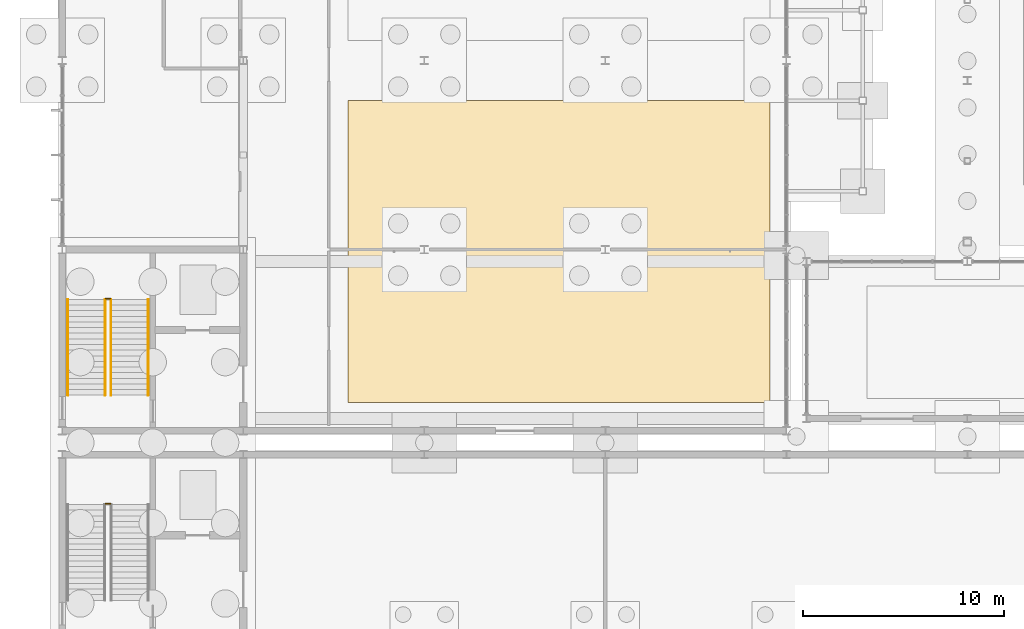
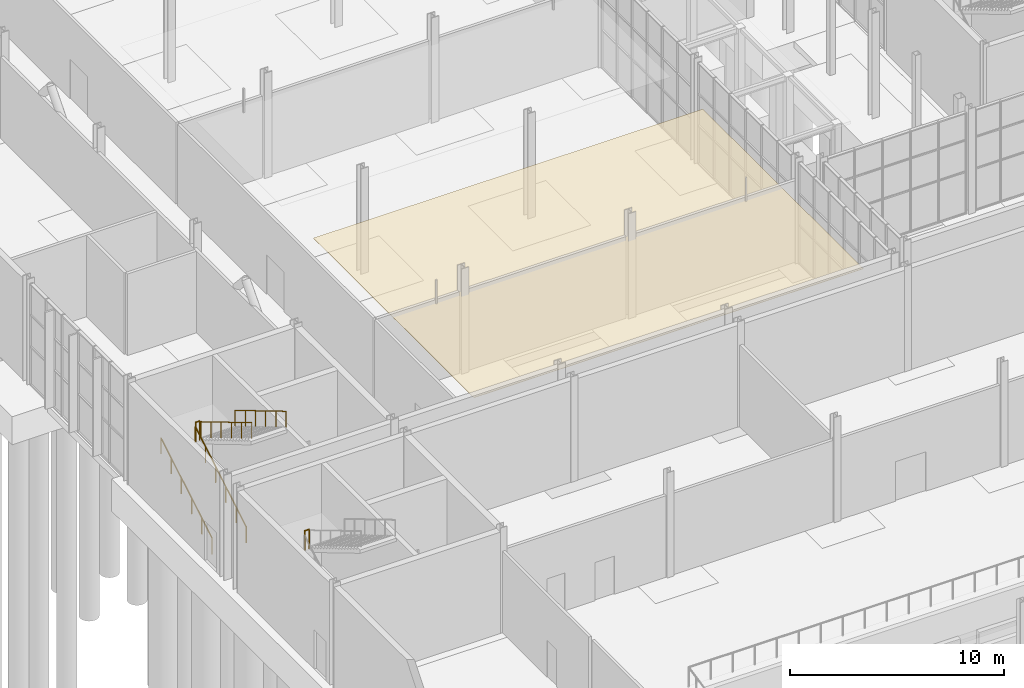
# One storey, part 116 of 131: 6 railings, 1 covering.
"""IFC4 building model written with IfcOpenShell, lengths in metres."""

from ifc_helpers import new_model, si_unit, direction, frame, origin, origin_2d, place, context, subcontext, project, spatial, polyline, circle, outline, extrude, material, layer, layer_set, type_object, element, save


model = new_model("IFC4")

# Units and contexts
model_context = context("Model", 3, precision=1e-05, world=origin(), true_north=direction((0.0, 1.0)))
body_context = subcontext(model_context, "Body", "Model", "MODEL_VIEW")
ifc_project = project(units=[si_unit("LENGTHUNIT", "METRE"), si_unit("AREAUNIT", "SQUARE_METRE"), si_unit("VOLUMEUNIT", "CUBIC_METRE"), si_unit("PLANEANGLEUNIT", "RADIAN"), si_unit("MASSUNIT", "GRAM", prefix="KILO")], contexts=[model_context])

# Site, building, storey
site_placement = place(None, origin())
site = spatial("IfcSite", under=ifc_project, at=site_placement, CompositionType="ELEMENT")
building_placement = place(site_placement, origin())
building = spatial("IfcBuilding", under=site, at=building_placement, Name="Cazmaro Siding Exhibition Halls", CompositionType="ELEMENT")
storey_placement = place(building_placement, origin())
storey = spatial("IfcBuildingStorey", under=building, at=storey_placement, Name="L00", CompositionType="ELEMENT", Elevation=0.0)

# Covering
ifc_material_1 = material(Name="Perforated Micro-Slotted Acoustic Timber Ceiling Cloud", Category="wood")
ifc_layer = layer(ifc_material_1, 0.02490234375)
ifc_layer_set = layer_set([ifc_layer], Name="Perforated Micro-Slotted Acoustic Timber Ceiling Cloud")
covering_type = type_object("IfcCoveringType", Name="COV-CEIL-01", PredefinedType="CEILING", material=ifc_layer_set)
covering_placement = place(storey_placement, frame((0.0, 0.0, 4.39990234375)))
element("IfcCovering", 1, at=covering_placement, inside=storey, type_object=covering_type, Name="Acoustic Timber Ceiling Cloud 001", PredefinedType="CEILING", context=body_context, shape_type="SweptSolid", body=[
    extrude(outline(polyline([(14.199951171875, 56.0), (35.199951171875, 56.0), (35.199951171875, 71.0), (14.199951171875, 71.0), (14.199951171875, 56.0)])), origin(), (0.0, 0.0, 1.0), 0.025146484375),
])

# Railings
ifc_material_2 = material(Name="Painted Steel Stairwell Guardrail", Category="steel")
railing_type_1 = type_object("IfcRailingType", Name="RL-GRD-01", PredefinedType="GUARDRAIL", material=ifc_material_2)
railing_1_placement = place(storey_placement, frame((2.155029296875, 50.9599609375, 3.0)))
element("IfcRailing", 2, at=railing_1_placement, inside=storey, type_object=railing_type_1, Name="ST-11 Mid-Landing Slot Guard RL-GRD-01 RL-SG021", PredefinedType="GUARDRAIL", context=body_context, shape_type="SweptSolid", body=[
    extrude(circle(Radius=0.02392578125, at=origin_2d()), frame((0.0, 0.0, 1.09619140625), z_axis=(1.0, 0.0, 0.0), x_axis=(0.0, 1.0, 0.0)), (0.0, 0.0, 1.0), 0.244873046875),
    extrude(circle(Radius=0.02099609375, at=origin_2d()), origin(), (0.0, 0.0, 1.0), 1.072021484375),
    extrude(circle(Radius=0.02099609375, at=origin_2d()), frame((0.244873046875, 0.0, 0.0)), (0.0, 0.0, 1.0), 1.072021484375),
])
railing_2_placement = place(storey_placement, frame((2.1650390625, 61.159912109375, 3.0)))
element("IfcRailing", 3, at=railing_2_placement, inside=storey, type_object=railing_type_1, Name="ST-13 Mid-Landing Slot Guard RL-GRD-01 RL-SG025", PredefinedType="GUARDRAIL", context=body_context, shape_type="SweptSolid", body=[
    extrude(circle(Radius=0.02392578125, at=origin_2d()), frame((0.0, 0.0, 1.09619140625), z_axis=(1.0, 0.0, 0.0), x_axis=(0.0, 1.0, 0.0)), (0.0, 0.0, 1.0), 0.224853515625),
    extrude(circle(Radius=0.02099609375, at=origin_2d()), origin(), (0.0, 0.0, 1.0), 1.072021484375),
    extrude(circle(Radius=0.02099609375, at=origin_2d()), frame((0.224853515625, 0.0, 0.0)), (0.0, 0.0, 1.0), 1.072021484375),
])
ifc_material_3 = material(Name="Brushed Stainless Steel Tubular Handrail", Category="steel")
railing_type_2 = type_object("IfcRailingType", Name="RL-HR-01", PredefinedType="HANDRAIL", material=ifc_material_3)
railing_3_placement = place(storey_placement, frame((0.280029296875, 56.360107421875, 0.1669921875)))
element("IfcRailing", 4, at=railing_3_placement, inside=storey, type_object=railing_type_2, Name="ST-13 Flight 1 Handrail 1", PredefinedType="HANDRAIL", context=body_context, shape_type="SweptSolid", body=[
    extrude(circle(Radius=0.02392578125, at=origin_2d()), frame((0.0, 0.0, 0.89599609375), z_axis=(0.0, 0.859319172962, 0.511439692417), x_axis=(-1.0, 0.0, 0.0)), (0.0, 0.0, 1.0), 5.539306640625),
    extrude(circle(Radius=0.02099609375, at=origin_2d()), origin(), (0.0, 0.0, 1.0), 0.871826171875),
    extrude(circle(Radius=0.02099609375, at=origin_2d()), frame((0.0, 0.951904296875, 0.566650390625)), (0.0, 0.0, 1.0), 0.871826171875),
    extrude(circle(Radius=0.02099609375, at=origin_2d()), frame((0.0, 1.904052734375, 1.13330078125)), (0.0, 0.0, 1.0), 0.871826171875),
    extrude(circle(Radius=0.02099609375, at=origin_2d()), frame((0.0, 2.85595703125, 1.69970703125)), (0.0, 0.0, 1.0), 0.871826171875),
    extrude(circle(Radius=0.02099609375, at=origin_2d()), frame((0.0, 3.80810546875, 2.266357421875)), (0.0, 0.0, 1.0), 0.871826171875),
    extrude(circle(Radius=0.02099609375, at=origin_2d()), frame((0.0, 4.760009765625, 2.8330078125)), (0.0, 0.0, 1.0), 0.871826171875),
])
railing_4_placement = place(storey_placement, frame((2.425048828125, 61.1201171875, 3.1669921875)))
element("IfcRailing", 5, at=railing_4_placement, inside=storey, type_object=railing_type_2, Name="ST-13 Flight 2 Handrail 1", PredefinedType="HANDRAIL", context=body_context, shape_type="SweptSolid", body=[
    extrude(circle(Radius=0.02392578125, at=origin_2d()), frame((0.0, 0.0, 0.89599609375), z_axis=(0.0, -0.859319172962, 0.511439692417), x_axis=(1.0, 0.0, 0.0)), (0.0, 0.0, 1.0), 5.539306640625),
    extrude(circle(Radius=0.02099609375, at=origin_2d()), origin(), (0.0, 0.0, 1.0), 0.871826171875),
    extrude(circle(Radius=0.02099609375, at=origin_2d()), frame((0.0, -0.951904296875, 0.566650390625)), (0.0, 0.0, 1.0), 0.871826171875),
    extrude(circle(Radius=0.02099609375, at=origin_2d()), frame((0.0, -1.904052734375, 1.13330078125)), (0.0, 0.0, 1.0), 0.871826171875),
    extrude(circle(Radius=0.02099609375, at=origin_2d()), frame((0.0, -2.85595703125, 1.69970703125)), (0.0, 0.0, 1.0), 0.871826171875),
    extrude(circle(Radius=0.02099609375, at=origin_2d()), frame((0.0, -3.80810546875, 2.266357421875)), (0.0, 0.0, 1.0), 0.871826171875),
    extrude(circle(Radius=0.02099609375, at=origin_2d()), frame((0.0, -4.760009765625, 2.8330078125)), (0.0, 0.0, 1.0), 0.871826171875),
])
railing_5_placement = place(storey_placement, frame((2.1298828125, 56.360107421875, 0.1669921875)))
element("IfcRailing", 6, at=railing_5_placement, inside=storey, type_object=railing_type_2, Name="ST-13 Flight 1 Handrail 2", PredefinedType="HANDRAIL", context=body_context, shape_type="SweptSolid", body=[
    extrude(circle(Radius=0.02392578125, at=origin_2d()), frame((0.0, 0.0, 0.89599609375), z_axis=(0.0, 0.859319172962, 0.511439692417), x_axis=(-1.0, 0.0, 0.0)), (0.0, 0.0, 1.0), 5.539306640625),
    extrude(circle(Radius=0.02099609375, at=origin_2d()), origin(), (0.0, 0.0, 1.0), 0.871826171875),
    extrude(circle(Radius=0.02099609375, at=origin_2d()), frame((0.0, 0.951904296875, 0.566650390625)), (0.0, 0.0, 1.0), 0.871826171875),
    extrude(circle(Radius=0.02099609375, at=origin_2d()), frame((0.0, 1.904052734375, 1.13330078125)), (0.0, 0.0, 1.0), 0.871826171875),
    extrude(circle(Radius=0.02099609375, at=origin_2d()), frame((0.0, 2.85595703125, 1.69970703125)), (0.0, 0.0, 1.0), 0.871826171875),
    extrude(circle(Radius=0.02099609375, at=origin_2d()), frame((0.0, 3.80810546875, 2.266357421875)), (0.0, 0.0, 1.0), 0.871826171875),
    extrude(circle(Radius=0.02099609375, at=origin_2d()), frame((0.0, 4.760009765625, 2.8330078125)), (0.0, 0.0, 1.0), 0.871826171875),
])
railing_6_placement = place(storey_placement, frame((4.27490234375, 61.1201171875, 3.1669921875)))
element("IfcRailing", 7, at=railing_6_placement, inside=storey, type_object=railing_type_2, Name="ST-13 Flight 2 Handrail 2", PredefinedType="HANDRAIL", context=body_context, shape_type="SweptSolid", body=[
    extrude(circle(Radius=0.02392578125, at=origin_2d()), frame((0.0, 0.0, 0.89599609375), z_axis=(0.0, -0.859319172962, 0.511439692417), x_axis=(1.0, 0.0, 0.0)), (0.0, 0.0, 1.0), 5.539306640625),
    extrude(circle(Radius=0.02099609375, at=origin_2d()), origin(), (0.0, 0.0, 1.0), 0.871826171875),
    extrude(circle(Radius=0.02099609375, at=origin_2d()), frame((0.0, -0.951904296875, 0.566650390625)), (0.0, 0.0, 1.0), 0.871826171875),
    extrude(circle(Radius=0.02099609375, at=origin_2d()), frame((0.0, -1.904052734375, 1.13330078125)), (0.0, 0.0, 1.0), 0.871826171875),
    extrude(circle(Radius=0.02099609375, at=origin_2d()), frame((0.0, -2.85595703125, 1.69970703125)), (0.0, 0.0, 1.0), 0.871826171875),
    extrude(circle(Radius=0.02099609375, at=origin_2d()), frame((0.0, -3.80810546875, 2.266357421875)), (0.0, 0.0, 1.0), 0.871826171875),
    extrude(circle(Radius=0.02099609375, at=origin_2d()), frame((0.0, -4.760009765625, 2.8330078125)), (0.0, 0.0, 1.0), 0.871826171875),
])

save(model, "model.ifc")
